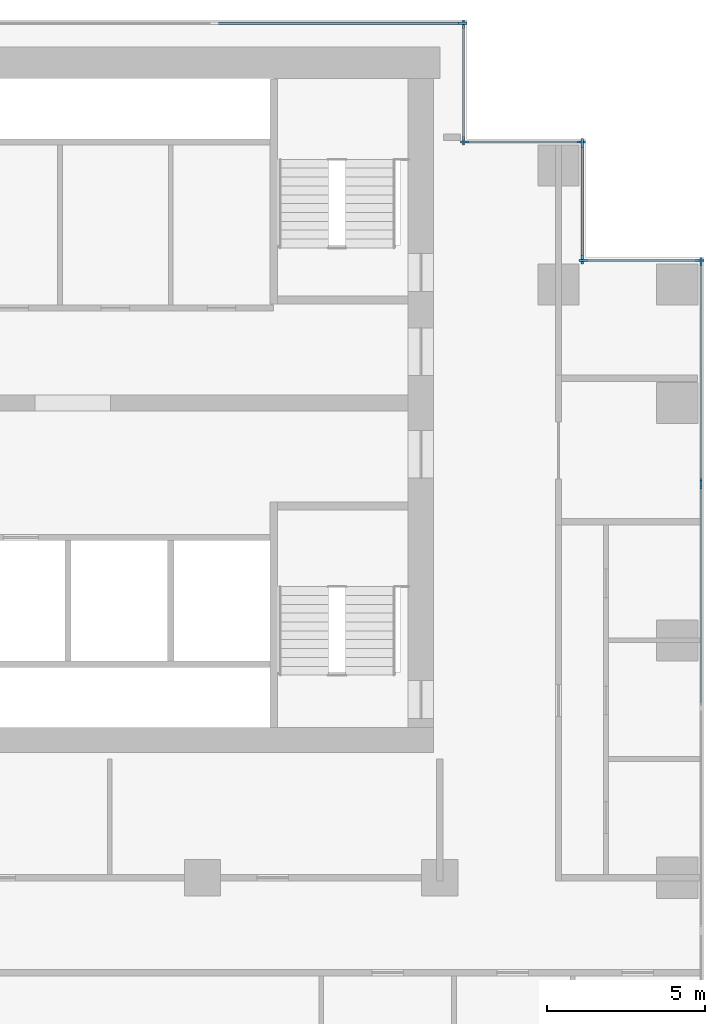
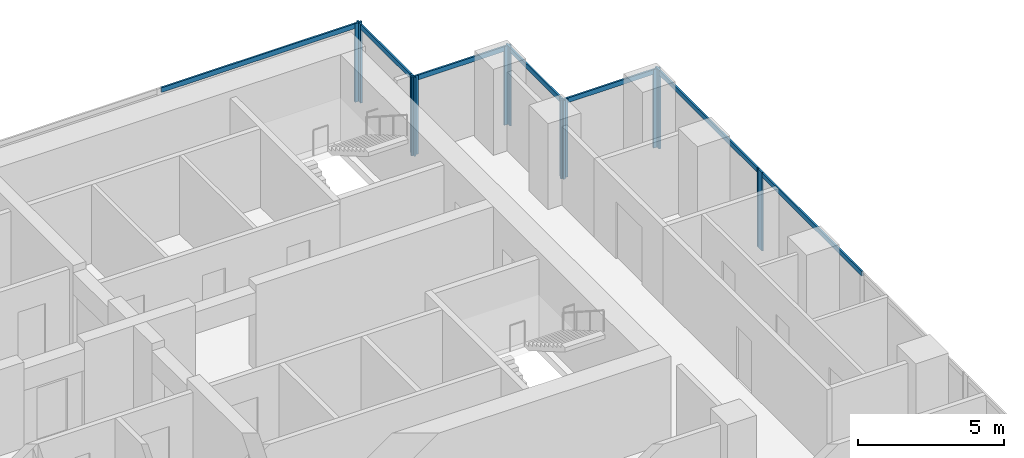
# One storey, part 5 of 10: 19 members, 7 elements without a shape of their own.
"""IFC4 building model written with IfcOpenShell, lengths in metres."""

from ifc_helpers import new_model, si_unit, direction, frame, origin, origin_2d, place, context, subcontext, project, spatial, rectangle, extrude, material, material_profile, profile_set, type_object, element, aggregate, save


model = new_model("IFC4")

# Units and contexts
model_context = context("Model", 3, precision=1e-05, world=origin(), true_north=direction((0.0, 1.0)))
body_context = subcontext(model_context, "Body", "Model", "MODEL_VIEW")
ifc_project = project(units=[si_unit("LENGTHUNIT", "METRE"), si_unit("AREAUNIT", "SQUARE_METRE"), si_unit("VOLUMEUNIT", "CUBIC_METRE"), si_unit("PLANEANGLEUNIT", "RADIAN"), si_unit("MASSUNIT", "GRAM", prefix="KILO")], contexts=[model_context])

# Site, building, storey
site_placement = place(None, origin())
site = spatial("IfcSite", under=ifc_project, at=site_placement, CompositionType="ELEMENT")
building_placement = place(site_placement, origin())
building = spatial("IfcBuilding", under=site, at=building_placement, Name="Pilkhan Gate Tower", CompositionType="ELEMENT")
storey_placement = place(building_placement, frame((0.0, 0.0, 118.0)))
storey = spatial("IfcBuildingStorey", under=building, at=storey_placement, Name="L29", CompositionType="ELEMENT", Elevation=118.0)

# Curtain wall, member
ifc_material_1 = material(Name="Pale anodised aluminium, clear low-iron double glazing", Category="aluminium")
curtain_wall_type = type_object("IfcCurtainWallType", Name="Office unitised curtain wall CW-O1", PredefinedType="USERDEFINED", material=ifc_material_1)
curtain_wall_1_placement = place(storey_placement, origin())
curtain_wall_1 = element("IfcCurtainWall", 1, at=curtain_wall_1_placement, inside=storey, type_object=curtain_wall_type, Name="Office unitised curtain wall CW-O1 L29 E", ObjectType="UNITISED CURTAIN WALL", PredefinedType="USERDEFINED")
ifc_material_2 = material(Name="Pale anodised aluminium", Category="aluminium")
ifc_material_profile_1 = material_profile(ifc_material_2, rectangle(XDim=0.070068359375, YDim=0.27490234375, at=origin_2d()), Name="Mullion 275x70")
ifc_profile_set_1 = profile_set([ifc_material_profile_1], Name="Pale anodised aluminium")
member_type_1 = type_object("IfcMemberType", Name="Mullion CW-O1 275x70", PredefinedType="MULLION", material=ifc_profile_set_1)
member_1_placement = place(storey_placement, frame((98.25, 79.9150390625, 0.0), z_axis=(0.0, 0.0, 1.0), x_axis=(-1.0, 0.0, 0.0)))
member_1 = element("IfcMember", 2, at=member_1_placement, type_object=member_type_1, Name="CW-O1 mullion 3", PredefinedType="MULLION", context=body_context, shape_type="SweptSolid", body=[
    extrude(rectangle(XDim=0.070068359375, YDim=0.27490234375, at=origin_2d()), origin(), (0.0, 0.0, 1.0), 3.300048828125),
])

# Curtain wall, members
curtain_wall_2_placement = place(storey_placement, origin())
curtain_wall_2 = element("IfcCurtainWall", 3, at=curtain_wall_2_placement, inside=storey, type_object=curtain_wall_type, Name="Office unitised curtain wall CW-O1 L29 E", ObjectType="UNITISED CURTAIN WALL", PredefinedType="USERDEFINED")
member_2_placement = place(storey_placement, frame((98.25, 79.985107421875, 0.0), z_axis=(0.0, 0.0, 1.0), x_axis=(-1.0, 0.0, 0.0)))
member_2 = element("IfcMember", 4, at=member_2_placement, type_object=member_type_1, Name="CW-O1 mullion 1", PredefinedType="MULLION", context=body_context, shape_type="SweptSolid", body=[
    extrude(rectangle(XDim=0.070068359375, YDim=0.27490234375, at=origin_2d()), origin(), (0.0, 0.0, 1.0), 3.300048828125),
])
member_3_placement = place(storey_placement, frame((98.25, 86.965087890625, 0.0), z_axis=(0.0, 0.0, 1.0), x_axis=(-1.0, 0.0, 0.0)))
member_3 = element("IfcMember", 5, at=member_3_placement, type_object=member_type_1, Name="CW-O1 mullion 2", PredefinedType="MULLION", context=body_context, shape_type="SweptSolid", body=[
    extrude(rectangle(XDim=0.070068359375, YDim=0.27490234375, at=origin_2d()), origin(), (0.0, 0.0, 1.0), 3.300048828125),
])

curtain_wall_3_placement = place(storey_placement, origin())
curtain_wall_3 = element("IfcCurtainWall", 6, at=curtain_wall_3_placement, inside=storey, type_object=curtain_wall_type, Name="Office unitised curtain wall CW-O1 L29 N", ObjectType="UNITISED CURTAIN WALL", PredefinedType="USERDEFINED")
member_4_placement = place(storey_placement, frame((94.534912109375, 87.0, 0.0), z_axis=(0.0, 0.0, 1.0), x_axis=(0.0, 1.0, 0.0)))
member_4 = element("IfcMember", 7, at=member_4_placement, type_object=member_type_1, Name="CW-O1 mullion 1", PredefinedType="MULLION", context=body_context, shape_type="SweptSolid", body=[
    extrude(rectangle(XDim=0.070068359375, YDim=0.27490234375, at=origin_2d()), origin(), (0.0, 0.0, 1.0), 3.300048828125),
])
member_5_placement = place(storey_placement, frame((98.215087890625, 87.0, 0.0), z_axis=(0.0, 0.0, 1.0), x_axis=(0.0, 1.0, 0.0)))
member_5 = element("IfcMember", 8, at=member_5_placement, type_object=member_type_1, Name="CW-O1 mullion 2", PredefinedType="MULLION", context=body_context, shape_type="SweptSolid", body=[
    extrude(rectangle(XDim=0.070068359375, YDim=0.27490234375, at=origin_2d()), origin(), (0.0, 0.0, 1.0), 3.300048828125),
])

curtain_wall_4_placement = place(storey_placement, origin())
curtain_wall_4 = element("IfcCurtainWall", 9, at=curtain_wall_4_placement, inside=storey, type_object=curtain_wall_type, Name="Office unitised curtain wall CW-O1 L29 E", ObjectType="UNITISED CURTAIN WALL", PredefinedType="USERDEFINED")
member_6_placement = place(storey_placement, frame((94.5, 87.034912109375, 0.0), z_axis=(0.0, 0.0, 1.0), x_axis=(-1.0, 0.0, 0.0)))
member_6 = element("IfcMember", 10, at=member_6_placement, type_object=member_type_1, Name="CW-O1 mullion 1", PredefinedType="MULLION", context=body_context, shape_type="SweptSolid", body=[
    extrude(rectangle(XDim=0.070068359375, YDim=0.27490234375, at=origin_2d()), origin(), (0.0, 0.0, 1.0), 3.300048828125),
])
member_7_placement = place(storey_placement, frame((94.5, 90.715087890625, 0.0), z_axis=(0.0, 0.0, 1.0), x_axis=(-1.0, 0.0, 0.0)))
member_7 = element("IfcMember", 11, at=member_7_placement, type_object=member_type_1, Name="CW-O1 mullion 2", PredefinedType="MULLION", context=body_context, shape_type="SweptSolid", body=[
    extrude(rectangle(XDim=0.070068359375, YDim=0.27490234375, at=origin_2d()), origin(), (0.0, 0.0, 1.0), 3.300048828125),
])

curtain_wall_5_placement = place(storey_placement, origin())
curtain_wall_5 = element("IfcCurtainWall", 12, at=curtain_wall_5_placement, inside=storey, type_object=curtain_wall_type, Name="Office unitised curtain wall CW-O1 L29 N", ObjectType="UNITISED CURTAIN WALL", PredefinedType="USERDEFINED")
member_8_placement = place(storey_placement, frame((90.784912109375, 90.75, 0.0), z_axis=(0.0, 0.0, 1.0), x_axis=(0.0, 1.0, 0.0)))
member_8 = element("IfcMember", 13, at=member_8_placement, type_object=member_type_1, Name="CW-O1 mullion 1", PredefinedType="MULLION", context=body_context, shape_type="SweptSolid", body=[
    extrude(rectangle(XDim=0.070068359375, YDim=0.27490234375, at=origin_2d()), origin(), (0.0, 0.0, 1.0), 3.300048828125),
])
member_9_placement = place(storey_placement, frame((94.465087890625, 90.75, 0.0), z_axis=(0.0, 0.0, 1.0), x_axis=(0.0, 1.0, 0.0)))
member_9 = element("IfcMember", 14, at=member_9_placement, type_object=member_type_1, Name="CW-O1 mullion 2", PredefinedType="MULLION", context=body_context, shape_type="SweptSolid", body=[
    extrude(rectangle(XDim=0.070068359375, YDim=0.27490234375, at=origin_2d()), origin(), (0.0, 0.0, 1.0), 3.300048828125),
])

curtain_wall_6_placement = place(storey_placement, origin())
curtain_wall_6 = element("IfcCurtainWall", 15, at=curtain_wall_6_placement, inside=storey, type_object=curtain_wall_type, Name="Office unitised curtain wall CW-O1 L29 E", ObjectType="UNITISED CURTAIN WALL", PredefinedType="USERDEFINED")
member_10_placement = place(storey_placement, frame((90.75, 90.784912109375, 0.0), z_axis=(0.0, 0.0, 1.0), x_axis=(-1.0, 0.0, 0.0)))
member_10 = element("IfcMember", 16, at=member_10_placement, type_object=member_type_1, Name="CW-O1 mullion 1", PredefinedType="MULLION", context=body_context, shape_type="SweptSolid", body=[
    extrude(rectangle(XDim=0.070068359375, YDim=0.27490234375, at=origin_2d()), origin(), (0.0, 0.0, 1.0), 3.300048828125),
])
member_11_placement = place(storey_placement, frame((90.75, 94.465087890625, 0.0), z_axis=(0.0, 0.0, 1.0), x_axis=(-1.0, 0.0, 0.0)))
member_11 = element("IfcMember", 17, at=member_11_placement, type_object=member_type_1, Name="CW-O1 mullion 2", PredefinedType="MULLION", context=body_context, shape_type="SweptSolid", body=[
    extrude(rectangle(XDim=0.070068359375, YDim=0.27490234375, at=origin_2d()), origin(), (0.0, 0.0, 1.0), 3.300048828125),
])

# Curtain wall, member
curtain_wall_7_placement = place(storey_placement, origin())
curtain_wall_7 = element("IfcCurtainWall", 18, at=curtain_wall_7_placement, inside=storey, type_object=curtain_wall_type, Name="Office unitised curtain wall CW-O1 L29 N", ObjectType="UNITISED CURTAIN WALL", PredefinedType="USERDEFINED")
member_12_placement = place(storey_placement, frame((90.715087890625, 94.5, 0.0), z_axis=(0.0, 0.0, 1.0), x_axis=(0.0, 1.0, 0.0)))
member_12 = element("IfcMember", 19, at=member_12_placement, type_object=member_type_1, Name="CW-O1 mullion 3", PredefinedType="MULLION", context=body_context, shape_type="SweptSolid", body=[
    extrude(rectangle(XDim=0.070068359375, YDim=0.27490234375, at=origin_2d()), origin(), (0.0, 0.0, 1.0), 3.300048828125),
])

# Member
ifc_material_profile_2 = material_profile(ifc_material_2, rectangle(XDim=0.070068359375, YDim=0.199951171875, at=origin_2d()), Name="Transom 200x70")
ifc_profile_set_2 = profile_set([ifc_material_profile_2], Name="Pale anodised aluminium")
member_type_2 = type_object("IfcMemberType", Name="Transom CW-O1 200x70", PredefinedType="USERDEFINED", material=ifc_profile_set_2)
member_13_placement = place(storey_placement, frame((98.25, 72.93505859375, 3.199951171875), z_axis=(0.0, 1.0, 0.0), x_axis=(-1.0, 0.0, 0.0)))
member_13 = element("IfcMember", 20, at=member_13_placement, type_object=member_type_2, Name="CW-O1 transom 2", ObjectType="TRANSOM", PredefinedType="USERDEFINED", context=body_context, shape_type="SweptSolid", body=[
    extrude(rectangle(XDim=0.070068359375, YDim=0.199951171875, at=origin_2d()), origin(), (0.0, 0.0, 1.0), 6.94482421875),
])

aggregate(curtain_wall_1, [member_1, member_13])

member_14_placement = place(storey_placement, frame((98.25, 80.02001953125, 3.199951171875), z_axis=(0.0, 1.0, 0.0), x_axis=(-1.0, 0.0, 0.0)))
member_14 = element("IfcMember", 21, at=member_14_placement, type_object=member_type_2, Name="CW-O1 transom 1", ObjectType="TRANSOM", PredefinedType="USERDEFINED", context=body_context, shape_type="SweptSolid", body=[
    extrude(rectangle(XDim=0.070068359375, YDim=0.199951171875, at=origin_2d()), origin(), (0.0, 0.0, 1.0), 6.909912109375),
])

aggregate(curtain_wall_2, [member_2, member_3, member_14])

member_15_placement = place(storey_placement, frame((94.570068359375, 87.0, 3.199951171875), z_axis=(1.0, 0.0, 0.0), x_axis=(0.0, 1.0, 0.0)))
member_15 = element("IfcMember", 22, at=member_15_placement, type_object=member_type_2, Name="CW-O1 transom 1", ObjectType="TRANSOM", PredefinedType="USERDEFINED", context=body_context, shape_type="SweptSolid", body=[
    extrude(rectangle(XDim=0.070068359375, YDim=0.199951171875, at=origin_2d()), origin(), (0.0, 0.0, 1.0), 3.60986328125),
])

aggregate(curtain_wall_3, [member_4, member_5, member_15])

member_16_placement = place(storey_placement, frame((94.5, 87.070068359375, 3.199951171875), z_axis=(0.0, 1.0, 0.0), x_axis=(-1.0, 0.0, 0.0)))
member_16 = element("IfcMember", 23, at=member_16_placement, type_object=member_type_2, Name="CW-O1 transom 1", ObjectType="TRANSOM", PredefinedType="USERDEFINED", context=body_context, shape_type="SweptSolid", body=[
    extrude(rectangle(XDim=0.070068359375, YDim=0.199951171875, at=origin_2d()), origin(), (0.0, 0.0, 1.0), 3.60986328125),
])

aggregate(curtain_wall_4, [member_6, member_7, member_16])

member_17_placement = place(storey_placement, frame((90.820068359375, 90.75, 3.199951171875), z_axis=(1.0, 0.0, 0.0), x_axis=(0.0, 1.0, 0.0)))
member_17 = element("IfcMember", 24, at=member_17_placement, type_object=member_type_2, Name="CW-O1 transom 1", ObjectType="TRANSOM", PredefinedType="USERDEFINED", context=body_context, shape_type="SweptSolid", body=[
    extrude(rectangle(XDim=0.070068359375, YDim=0.199951171875, at=origin_2d()), origin(), (0.0, 0.0, 1.0), 3.60986328125),
])

aggregate(curtain_wall_5, [member_8, member_9, member_17])

member_18_placement = place(storey_placement, frame((90.75, 90.820068359375, 3.199951171875), z_axis=(0.0, 1.0, 0.0), x_axis=(-1.0, 0.0, 0.0)))
member_18 = element("IfcMember", 25, at=member_18_placement, type_object=member_type_2, Name="CW-O1 transom 1", ObjectType="TRANSOM", PredefinedType="USERDEFINED", context=body_context, shape_type="SweptSolid", body=[
    extrude(rectangle(XDim=0.070068359375, YDim=0.199951171875, at=origin_2d()), origin(), (0.0, 0.0, 1.0), 3.60986328125),
])

aggregate(curtain_wall_6, [member_10, member_11, member_18])

member_19_placement = place(storey_placement, frame((82.909912109375, 94.5, 3.199951171875), z_axis=(1.0, 0.0, 0.0), x_axis=(0.0, 1.0, 0.0)))
member_19 = element("IfcMember", 26, at=member_19_placement, type_object=member_type_2, Name="CW-O1 transom 2", ObjectType="TRANSOM", PredefinedType="USERDEFINED", context=body_context, shape_type="SweptSolid", body=[
    extrude(rectangle(XDim=0.070068359375, YDim=0.199951171875, at=origin_2d()), origin(), (0.0, 0.0, 1.0), 7.77001953125),
])

aggregate(curtain_wall_7, [member_12, member_19])

save(model, "model.ifc")
